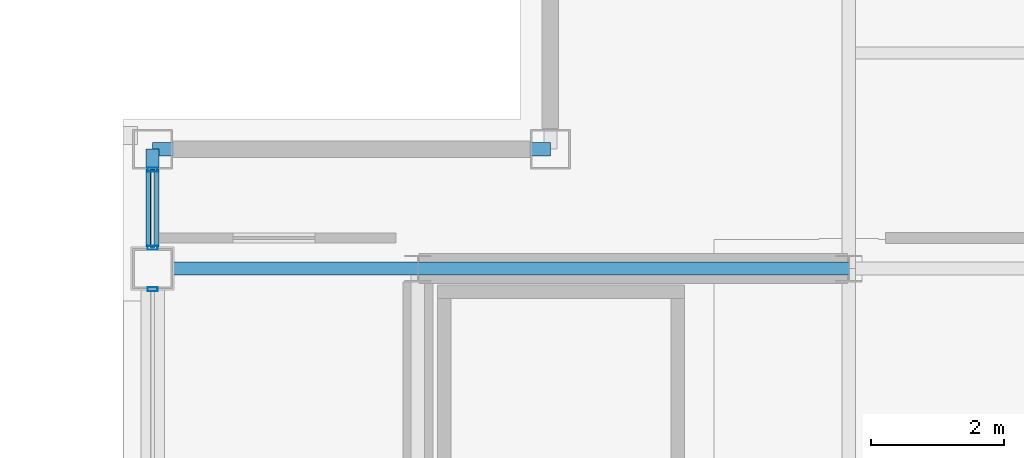
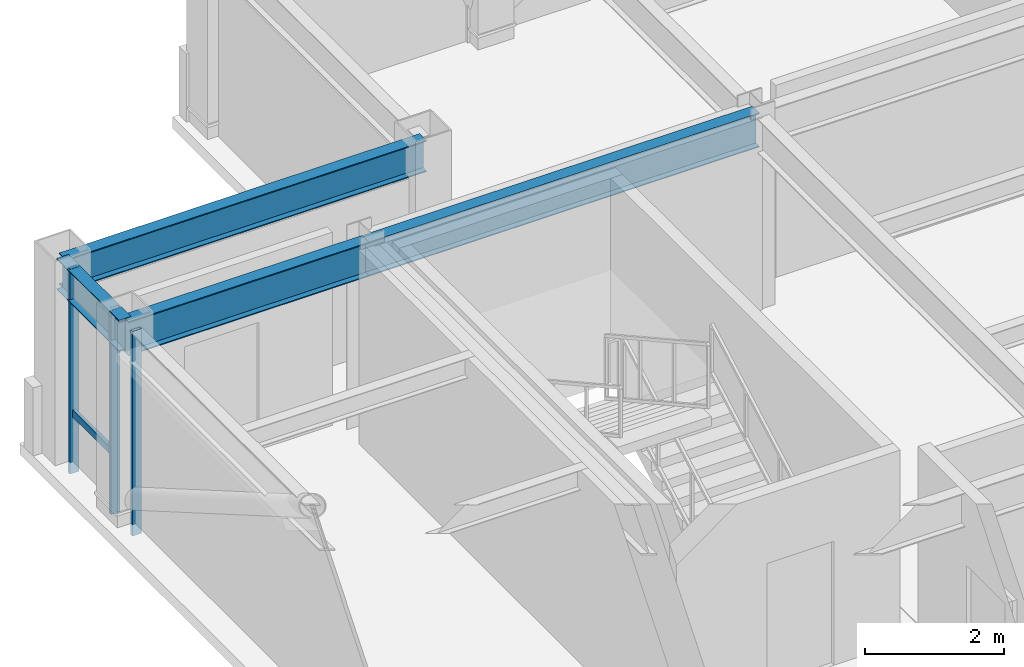
# One storey, part 10 of 24: 4 beams, 4 members, 2 elements without a shape of their own.
"""IFC4 building model written with IfcOpenShell, lengths in metres."""

from ifc_helpers import new_model, si_unit, direction, frame, origin, origin_2d, place, context, subcontext, project, spatial, hollow_rectangle, i_section, extrude, material, layer, layer_set, material_profile, profile_set, type_object, element, aggregate, save


model = new_model("IFC4")

# Units and contexts
model_context = context("Model", 3, precision=1e-05, world=origin(), true_north=direction((0.0, 1.0)))
body_context = subcontext(model_context, "Body", "Model", "MODEL_VIEW")
ifc_project = project(units=[si_unit("LENGTHUNIT", "METRE"), si_unit("AREAUNIT", "SQUARE_METRE"), si_unit("VOLUMEUNIT", "CUBIC_METRE"), si_unit("PLANEANGLEUNIT", "RADIAN"), si_unit("MASSUNIT", "GRAM", prefix="KILO")], contexts=[model_context])

# Site, building, storey
site_placement = place(None, origin())
site = spatial("IfcSite", under=ifc_project, at=site_placement, CompositionType="ELEMENT")
building_placement = place(site_placement, origin())
building = spatial("IfcBuilding", under=site, at=building_placement, Name="Brelmoor Portico Tower", CompositionType="ELEMENT")
storey_placement = place(building_placement, frame((0.0, 0.0, 268.800048828125)))
storey = spatial("IfcBuildingStorey", under=building, at=storey_placement, Name="L71", CompositionType="ELEMENT", Elevation=268.800048828125)

# Beams
ifc_material_1 = material(Name="Steel Q355B", Category="steel")
ifc_material_profile_1 = material_profile(ifc_material_1, i_section(OverallWidth=0.199951171875, OverallDepth=0.60009765625, WebThickness=0.010986328125, FlangeThickness=0.01708984375, at=origin_2d()), Name="HN 600x200x11x17")
ifc_profile_set_1 = profile_set([ifc_material_profile_1], Name="Steel Q355B")
beam_type_1 = type_object("IfcBeamType", Name="BM-PG-600", PredefinedType="BEAM", material=ifc_profile_set_1)
beam_1_placement = place(storey_placement, frame((-18.550048828125, 9.75, 3.099853515625), z_axis=(1.0, 0.0, 0.0), x_axis=(0.0, 1.0, 0.0)))
element("IfcBeam", 1, at=beam_1_placement, inside=storey, type_object=beam_type_1, Name="L71 Primary Floor Girder PG-19", PredefinedType="BEAM", context=body_context, shape_type="SweptSolid", body=[
    extrude(i_section(OverallWidth=0.199951171875, OverallDepth=0.60009765625, WebThickness=0.010986328125, FlangeThickness=0.01708984375, at=origin_2d()), origin(), (0.0, 0.0, 1.0), 4.0),
])
beam_2_placement = place(storey_placement, frame((-14.550048828125, 9.75, 3.099853515625), z_axis=(1.0, 0.0, 0.0), x_axis=(0.0, 1.0, 0.0)))
element("IfcBeam", 2, at=beam_2_placement, inside=storey, type_object=beam_type_1, Name="L71 Primary Floor Girder PG-20", PredefinedType="BEAM", context=body_context, shape_type="SweptSolid", body=[
    extrude(i_section(OverallWidth=0.199951171875, OverallDepth=0.60009765625, WebThickness=0.010986328125, FlangeThickness=0.01708984375, at=origin_2d()), origin(), (0.0, 0.0, 1.0), 6.5),
])
ifc_material_profile_2 = material_profile(ifc_material_1, i_section(OverallWidth=0.199951171875, OverallDepth=0.550048828125, WebThickness=0.010009765625, FlangeThickness=0.01611328125, at=origin_2d()), Name="HN 550x200x10x16")
ifc_profile_set_2 = profile_set([ifc_material_profile_2], Name="Steel Q355B")
beam_type_2 = type_object("IfcBeamType", Name="BM-SP-550", PredefinedType="SPANDREL", material=ifc_profile_set_2)
beam_3_placement = place(storey_placement, frame((-18.550048828125, 11.550048828125, 3.125), z_axis=(1.0, 0.0, 0.0), x_axis=(0.0, 1.0, 0.0)))
element("IfcBeam", 3, at=beam_3_placement, inside=storey, type_object=beam_type_2, Name="L71 Perimeter Spandrel Beam SP-06", PredefinedType="SPANDREL", context=body_context, shape_type="SweptSolid", body=[
    extrude(i_section(OverallWidth=0.199951171875, OverallDepth=0.550048828125, WebThickness=0.010009765625, FlangeThickness=0.01611328125, at=origin_2d()), origin(), (0.0, 0.0, 1.0), 6.0),
])
beam_4_placement = place(storey_placement, frame((-18.550048828125, 9.75, 3.125), z_axis=(0.0, 1.0, 0.0), x_axis=(-1.0, 0.0, 0.0)))
element("IfcBeam", 4, at=beam_4_placement, inside=storey, type_object=beam_type_2, Name="L71 Perimeter Spandrel Beam SP-13", PredefinedType="SPANDREL", context=body_context, shape_type="SweptSolid", body=[
    extrude(i_section(OverallWidth=0.199951171875, OverallDepth=0.550048828125, WebThickness=0.010009765625, FlangeThickness=0.01611328125, at=origin_2d()), origin(), (0.0, 0.0, 1.0), 1.800048828125),
])

# Curtain wall, member
ifc_material_2 = material(Name="Anodised Aluminium Alloy 6063-T6", Category="aluminium")
ifc_layer_1 = layer(ifc_material_2, 0.179931640625)
ifc_layer_set_1 = layer_set([ifc_layer_1], Name="Anodised Aluminium Alloy 6063-T6")
curtain_wall_type_1 = type_object("IfcCurtainWallType", Name="CW-TOWER-Z4-XB", PredefinedType="NOTDEFINED", material=ifc_layer_set_1)
curtain_wall_1_placement = place(storey_placement, origin())
curtain_wall_1 = element("IfcCurtainWall", 5, at=curtain_wall_1_placement, inside=storey, type_object=curtain_wall_type_1, Name="L71 Curtain Wall CW-L71-03-2", PredefinedType="NOTDEFINED")
ifc_material_profile_3 = material_profile(ifc_material_2, hollow_rectangle(XDim=0.06005859375, YDim=0.14990234375, WallThickness=0.00390625, at=origin_2d()), Name="ALU MULLION 60x150")
ifc_profile_set_3 = profile_set([ifc_material_profile_3], Name="Anodised Aluminium Alloy 6063-T6")
member_type_1 = type_object("IfcMemberType", Name="MB-CW-MULL-150", PredefinedType="MULLION", material=ifc_profile_set_3)
member_1_placement = place(storey_placement, frame((-18.550048828125, 9.43994140625, -0.199951171875), z_axis=(0.0, 0.0, 1.0), x_axis=(0.0, 1.0, 0.0)))
member_1 = element("IfcMember", 6, at=member_1_placement, type_object=member_type_1, Name="CW-L71-03-2 Mullion 02", PredefinedType="MULLION", context=body_context, shape_type="SweptSolid", body=[
    extrude(hollow_rectangle(XDim=0.06005859375, YDim=0.14990234375, WallThickness=0.00390625, at=origin_2d()), origin(), (0.0, 0.0, 1.0), 3.599853515625),
])
aggregate(curtain_wall_1, [member_1])

# Curtain wall, members
ifc_layer_2 = layer(ifc_material_2, 0.179931640625)
ifc_layer_set_2 = layer_set([ifc_layer_2], Name="Anodised Aluminium Alloy 6063-T6")
curtain_wall_type_2 = type_object("IfcCurtainWallType", Name="CW-TOWER-Z4", PredefinedType="NOTDEFINED", material=ifc_layer_set_2)
curtain_wall_2_placement = place(storey_placement, origin())
curtain_wall_2 = element("IfcCurtainWall", 7, at=curtain_wall_2_placement, inside=storey, type_object=curtain_wall_type_2, Name="L71 Curtain Wall CW-L71-03-3", PredefinedType="NOTDEFINED")
member_2_placement = place(storey_placement, frame((-18.550048828125, 10.06005859375, -0.199951171875), z_axis=(0.0, 0.0, 1.0), x_axis=(0.0, 1.0, 0.0)))
member_2 = element("IfcMember", 8, at=member_2_placement, type_object=member_type_1, Name="CW-L71-03-3 Mullion 00", PredefinedType="MULLION", context=body_context, shape_type="SweptSolid", body=[
    extrude(hollow_rectangle(XDim=0.06005859375, YDim=0.14990234375, WallThickness=0.00390625, at=origin_2d()), origin(), (0.0, 0.0, 1.0), 3.599853515625),
])
member_3_placement = place(storey_placement, frame((-18.550048828125, 11.239990234375, -0.199951171875), z_axis=(0.0, 0.0, 1.0), x_axis=(0.0, 1.0, 0.0)))
member_3 = element("IfcMember", 9, at=member_3_placement, type_object=member_type_1, Name="CW-L71-03-3 Mullion 01", PredefinedType="MULLION", context=body_context, shape_type="SweptSolid", body=[
    extrude(hollow_rectangle(XDim=0.06005859375, YDim=0.14990234375, WallThickness=0.00390625, at=origin_2d()), origin(), (0.0, 0.0, 1.0), 3.599853515625),
])
ifc_material_profile_4 = material_profile(ifc_material_2, hollow_rectangle(XDim=0.06005859375, YDim=0.125, WallThickness=0.00341796875, at=origin_2d()), Name="ALU TRANSOM 60x125")
ifc_profile_set_4 = profile_set([ifc_material_profile_4], Name="Anodised Aluminium Alloy 6063-T6")
member_type_2 = type_object("IfcMemberType", Name="MB-CW-TRAN-125", PredefinedType="USERDEFINED", material=ifc_profile_set_4)
member_4_placement = place(storey_placement, frame((-18.550048828125, 10.06005859375, 0.849853515625), z_axis=(0.0, 1.0, 0.0), x_axis=(-1.0, 0.0, 0.0)))
member_4 = element("IfcMember", 10, at=member_4_placement, type_object=member_type_2, Name="CW-L71-03-3 Transom 1-00", ObjectType="TRANSOM", PredefinedType="USERDEFINED", context=body_context, shape_type="SweptSolid", body=[
    extrude(hollow_rectangle(XDim=0.06005859375, YDim=0.125, WallThickness=0.00341796875, at=origin_2d()), origin(), (0.0, 0.0, 1.0), 1.179931640625),
])
aggregate(curtain_wall_2, [member_2, member_3, member_4])

save(model, "model.ifc")
